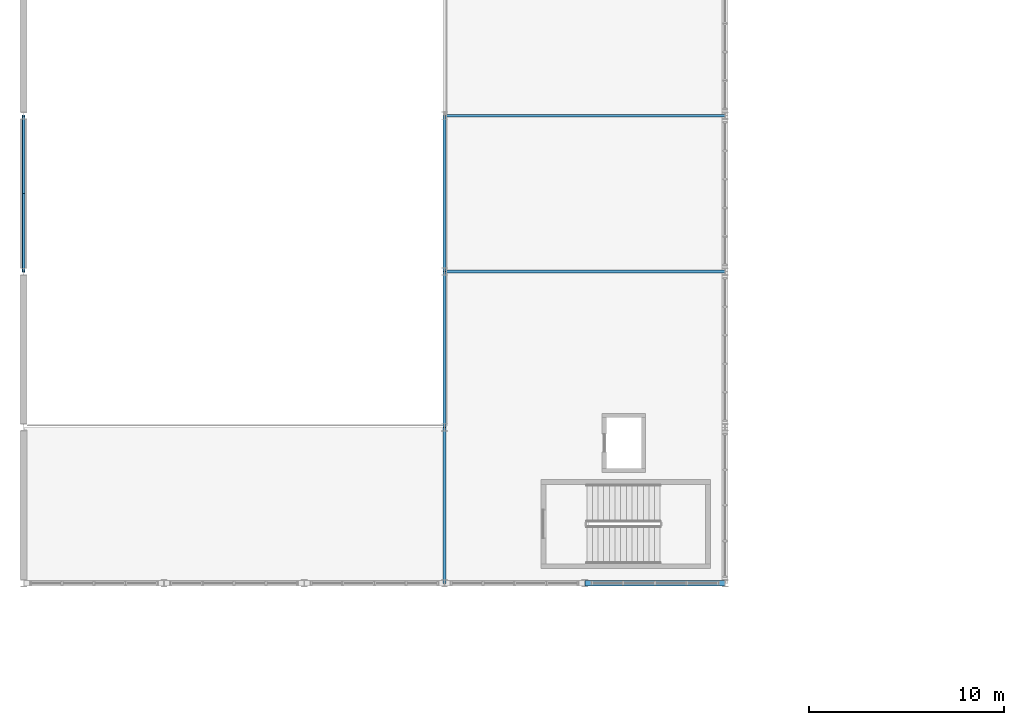
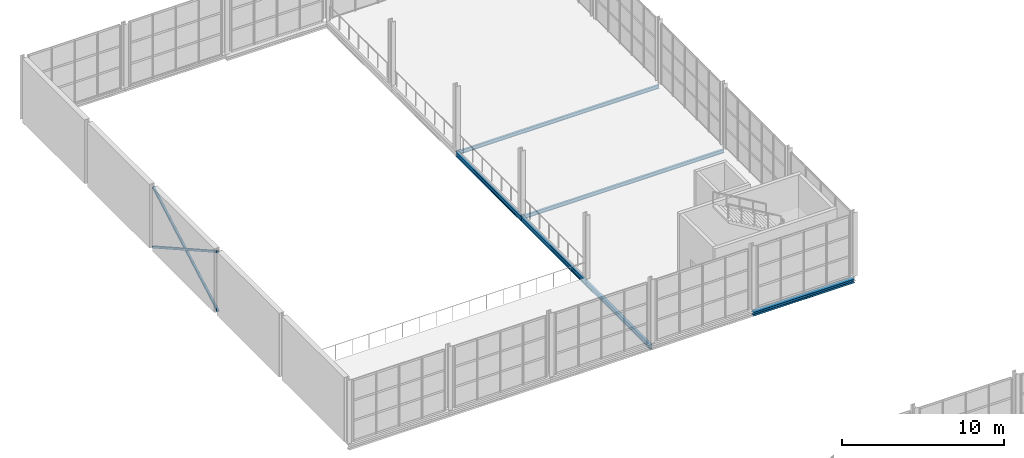
# One storey, part 60 of 143: 6 beams, 2 members.
"""IFC4 building model written with IfcOpenShell, lengths in metres."""

from ifc_helpers import new_model, si_unit, derived_unit, direction, frame, origin, origin_2d, place, context, subcontext, project, spatial, hollow_rectangle, i_section, extrude, material, material_profile, profile_set, type_object, element, save


model = new_model("IFC4")

# Units and contexts
model_context = context("Model", 3, precision=1e-05, world=origin(), true_north=direction((0.0, 1.0)))
body_context = subcontext(model_context, "Body", "Model", "MODEL_VIEW")
ifc_project = project(units=[si_unit("LENGTHUNIT", "METRE"), si_unit("AREAUNIT", "SQUARE_METRE"), si_unit("VOLUMEUNIT", "CUBIC_METRE"), si_unit("PLANEANGLEUNIT", "RADIAN"), si_unit("MASSUNIT", "GRAM", prefix="KILO"), derived_unit("THERMALTRANSMITTANCEUNIT", [(si_unit("POWERUNIT", "WATT"), 1), (si_unit("LENGTHUNIT", "METRE"), -2), (si_unit("THERMODYNAMICTEMPERATUREUNIT", "KELVIN"), -1)])], contexts=[model_context])

# Site, building, storey
site_placement = place(None, origin())
site = spatial("IfcSite", under=ifc_project, at=site_placement, CompositionType="ELEMENT")
building_placement = place(site_placement, origin())
building = spatial("IfcBuilding", under=site, at=building_placement, Name="Keldorne Ridge Multi-Sports Centre", CompositionType="ELEMENT")
storey_placement = place(building_placement, frame((0.0, 0.0, 4.800048828125)))
storey = spatial("IfcBuildingStorey", under=building, at=storey_placement, Name="L01", CompositionType="ELEMENT", Elevation=4.800048828125)

# Beams
ifc_material = material(Name="Steel S355", Category="steel")
ifc_material_profile_1 = material_profile(ifc_material, i_section(OverallWidth=0.169921875, OverallDepth=0.360107421875, WebThickness=0.008056640625, FlangeThickness=0.0126953125, FilletRadius=0.01806640625, at=origin_2d()), Name="IPE 360")
ifc_profile_set_1 = profile_set([ifc_material_profile_1], Name="Steel S355")
beam_type_1 = type_object("IfcBeamType", Name="BM-B-05", PredefinedType="BEAM", material=ifc_profile_set_1)
for number, where, z_axis, x_axis, name in (
    (1, (27.60009765625, 74.0, -0.400146484375), (0.0, 1.0, 0.0), (-1.0, 0.0, 0.0), "L01 climbing gallery girder 74"),
    (2, (27.60009765625, 82.0, -0.400146484375), (0.0, 1.0, 0.0), (-1.0, 0.0, 0.0), "L01 climbing gallery girder 82"),
    (3, (27.60009765625, 90.0, -0.400146484375), (0.0, 1.0, 0.0), (-1.0, 0.0, 0.0), "L01 climbing gallery girder 90"),
):
    element("IfcBeam", number, at=place(storey_placement, frame(where, z_axis=z_axis, x_axis=x_axis)), inside=storey, type_object=beam_type_1, Name=name, PredefinedType="BEAM", context=body_context, shape_type="SweptSolid", body=[
        extrude(i_section(OverallWidth=0.169921875, OverallDepth=0.360107421875, WebThickness=0.008056640625, FlangeThickness=0.0126953125, FilletRadius=0.01806640625, at=origin_2d()), origin(), (0.0, 0.0, 1.0), 8.0),
    ])
ifc_material_profile_2 = material_profile(ifc_material, i_section(OverallWidth=0.135009765625, OverallDepth=0.27001953125, WebThickness=0.006591796875, FlangeThickness=0.01025390625, FilletRadius=0.014892578125, at=origin_2d()), Name="IPE 270")
ifc_profile_set_2 = profile_set([ifc_material_profile_2], Name="Steel S355")
beam_type_2 = type_object("IfcBeamType", Name="BM-J-03", PredefinedType="JOIST", material=ifc_profile_set_2)
for number, where, z_axis, x_axis, name in (
    (4, (27.60009765625, 90.0, -0.35498046875), (1.0, 0.0, 0.0), (0.0, 1.0, 0.0), "L01 climbing gallery tie 90"),
    (5, (27.60009765625, 98.0, -0.35498046875), (1.0, 0.0, 0.0), (0.0, 1.0, 0.0), "L01 climbing gallery tie 98"),
):
    element("IfcBeam", number, at=place(storey_placement, frame(where, z_axis=z_axis, x_axis=x_axis)), inside=storey, type_object=beam_type_2, Name=name, PredefinedType="JOIST", context=body_context, shape_type="SweptSolid", body=[
        extrude(i_section(OverallWidth=0.135009765625, OverallDepth=0.27001953125, WebThickness=0.006591796875, FlangeThickness=0.01025390625, FilletRadius=0.014892578125, at=origin_2d()), origin(), (0.0, 0.0, 1.0), 14.39990234375),
    ])
ifc_material_profile_3 = material_profile(ifc_material, i_section(OverallWidth=0.300048828125, OverallDepth=0.2900390625, WebThickness=0.008544921875, FlangeThickness=0.013916015625, FilletRadius=0.027099609375, at=origin_2d()), Name="HEA 300")
ifc_profile_set_3 = profile_set([ifc_material_profile_3], Name="Steel S355")
beam_type_3 = type_object("IfcBeamType", Name="BM-SP-04", PredefinedType="SPANDREL", material=ifc_profile_set_3)
beam_placement = place(storey_placement, frame((34.800048828125, 74.0, -0.3701171875), z_axis=(1.0, 0.0, 0.0), x_axis=(0.0, 1.0, 0.0)))
element("IfcBeam", 6, at=beam_placement, inside=storey, type_object=beam_type_3, Name="Climbing spandrel L01.74.5", PredefinedType="SPANDREL", context=body_context, shape_type="SweptSolid", body=[
    extrude(i_section(OverallWidth=0.300048828125, OverallDepth=0.2900390625, WebThickness=0.008544921875, FlangeThickness=0.013916015625, FilletRadius=0.027099609375, at=origin_2d()), origin(), (0.0, 0.0, 1.0), 7.199951171875),
])

# Members
ifc_material_profile_4 = material_profile(ifc_material, hollow_rectangle(XDim=0.14990234375, YDim=0.14990234375, WallThickness=0.010009765625, InnerFilletRadius=0.010009765625, OuterFilletRadius=0.02001953125, at=origin_2d()), Name="SHS 150x150x10")
ifc_profile_set_4 = profile_set([ifc_material_profile_4], Name="Steel S355")
member_type = type_object("IfcMemberType", Name="MEM-WB-03", PredefinedType="BRACE", material=ifc_profile_set_4)
for number, where, z_axis, x_axis, name in (
    (7, (6.0, 90.0, 0.14990234375), (0.0, 0.871575537125, 0.490261239633), (-1.0, 0.0, 0.0), "Perimeter vertical X-brace V3W-L1-A"),
    (8, (6.0, 90.0, 4.64990234375), (0.0, 0.871575537125, -0.490261239633), (-1.0, 0.0, 0.0), "Perimeter vertical X-brace V3W-L1-B"),
):
    element("IfcMember", number, at=place(storey_placement, frame(where, z_axis=z_axis, x_axis=x_axis)), inside=storey, type_object=member_type, Name=name, PredefinedType="BRACE", context=body_context, shape_type="SweptSolid", body=[
        extrude(hollow_rectangle(XDim=0.14990234375, YDim=0.14990234375, WallThickness=0.010009765625, InnerFilletRadius=0.010009765625, OuterFilletRadius=0.02001953125, at=origin_2d()), origin(), (0.0, 0.0, 1.0), 9.1787109375),
    ])

save(model, "model.ifc")
